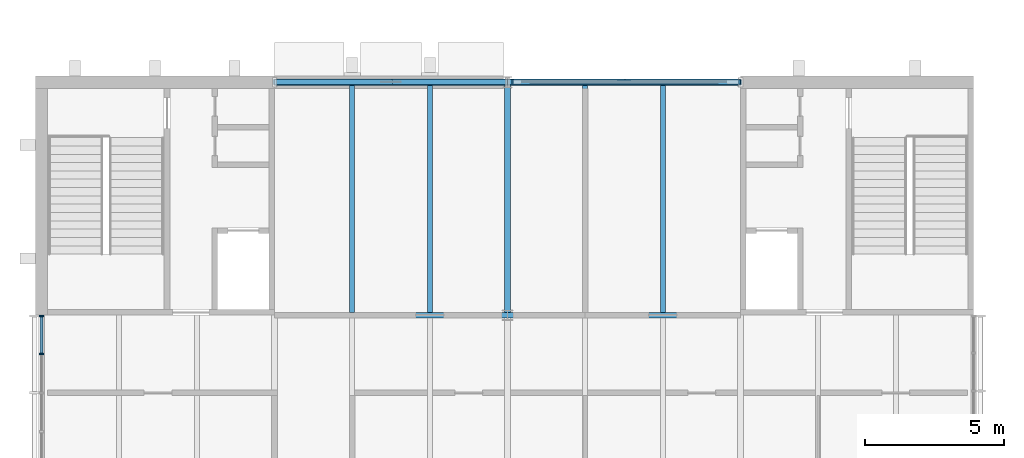
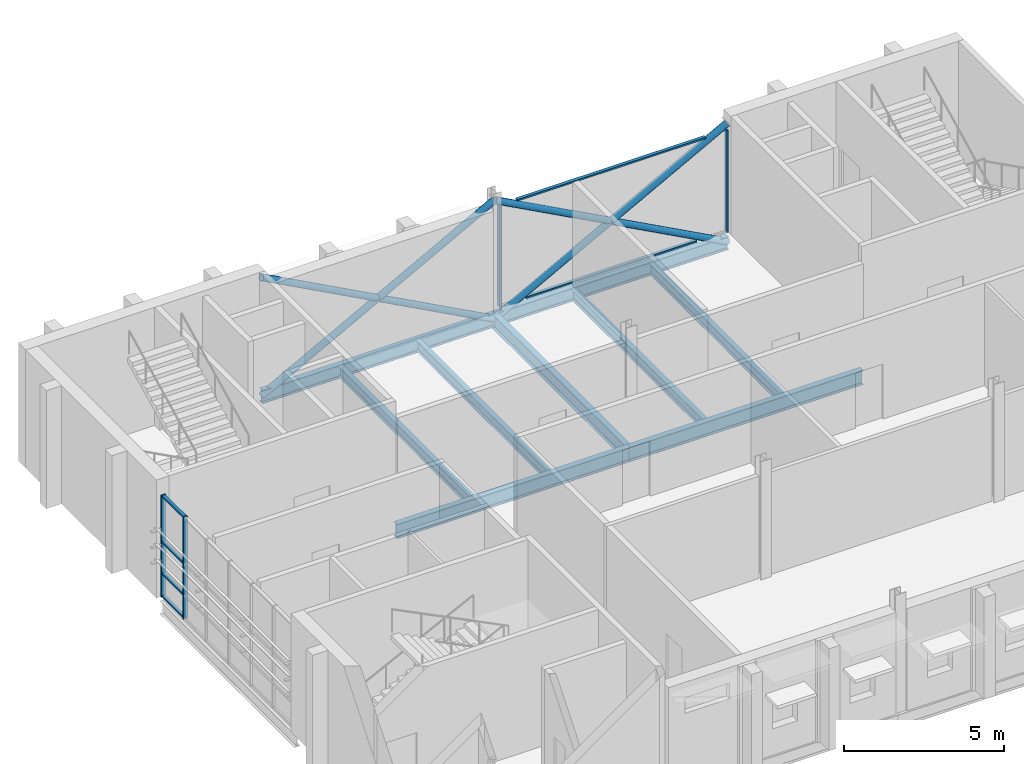
# One storey, part 5 of 22: 16 members, 9 beams, 2 elements without a shape of their own.
"""IFC4 building model written with IfcOpenShell, lengths in metres."""

from ifc_helpers import new_model, si_unit, direction, frame, origin, origin_2d, place, context, subcontext, project, spatial, rectangle, hollow_circle, i_section, extrude, material, layer, layer_set, material_profile, profile_set, type_object, element, aggregate, save


model = new_model("IFC4")

# Units and contexts
model_context = context("Model", 3, precision=1e-05, world=origin(), true_north=direction((0.0, 1.0)))
body_context = subcontext(model_context, "Body", "Model", "MODEL_VIEW")
ifc_project = project(units=[si_unit("LENGTHUNIT", "METRE"), si_unit("AREAUNIT", "SQUARE_METRE"), si_unit("VOLUMEUNIT", "CUBIC_METRE"), si_unit("PLANEANGLEUNIT", "RADIAN"), si_unit("MASSUNIT", "GRAM", prefix="KILO")], contexts=[model_context])

# Site, building, storey
site_placement = place(None, origin())
site = spatial("IfcSite", under=ifc_project, at=site_placement, CompositionType="ELEMENT")
building_placement = place(site_placement, origin())
building = spatial("IfcBuilding", under=site, at=building_placement, Name="Ardhachandra Cancer Care Centre", CompositionType="ELEMENT")
storey_placement = place(building_placement, frame((0.0, 0.0, 18.0)))
storey = spatial("IfcBuildingStorey", under=building, at=storey_placement, Name="L04", CompositionType="ELEMENT", Elevation=18.0)

# Beams
ifc_material_1 = material(Name="Steel E350 (IS 2062)", Category="steel")
ifc_material_profile_1 = material_profile(ifc_material_1, i_section(OverallWidth=0.179931640625, OverallDepth=0.39990234375, WebThickness=0.008544921875, FlangeThickness=0.013427734375, FilletRadius=0.02099609375, at=origin_2d()), Name="NPB 400x180x66.30")
ifc_profile_set_1 = profile_set([ifc_material_profile_1], Name="Steel E350 (IS 2062)")
beam_type_1 = type_object("IfcBeamType", Name="Beam NPB 400x180x66.30", PredefinedType="BEAM", material=ifc_profile_set_1)
for number, where, z_axis, x_axis, name in (
    (1, (22.0, 88.304931640625, -0.35009765625), (0.0, 1.0, 0.0), (-1.0, 0.0, 0.0), "Secondary K2-L2@2800"),
    (2, (24.800048828125, 88.304931640625, -0.35009765625), (0.0, 1.0, 0.0), (-1.0, 0.0, 0.0), "Secondary K2-L2@5600"),
    (3, (30.39990234375, 88.304931640625, -0.35009765625), (0.0, 1.0, 0.0), (-1.0, 0.0, 0.0), "Secondary K3-L3@2800"),
    (4, (33.199951171875, 88.304931640625, -0.35009765625), (0.0, 1.0, 0.0), (-1.0, 0.0, 0.0), "Secondary K3-L3@5600"),
):
    element("IfcBeam", number, at=place(storey_placement, frame(where, z_axis=z_axis, x_axis=x_axis)), inside=storey, type_object=beam_type_1, Name=name, PredefinedType="BEAM", context=body_context, shape_type="SweptSolid", body=[
        extrude(i_section(OverallWidth=0.179931640625, OverallDepth=0.39990234375, WebThickness=0.008544921875, FlangeThickness=0.013427734375, FilletRadius=0.02099609375, at=origin_2d()), origin(), (0.0, 0.0, 1.0), 8.195068359375),
    ])
ifc_material_2 = material(Name="Steel E350 (IS 2062)", Category="steel")
ifc_material_profile_2 = material_profile(ifc_material_2, i_section(OverallWidth=0.199951171875, OverallDepth=0.5, WebThickness=0.01025390625, FlangeThickness=0.01611328125, FilletRadius=0.02099609375, at=origin_2d()), Name="NPB 500x200x90.68")
ifc_profile_set_2 = profile_set([ifc_material_profile_2], Name="Steel E350 (IS 2062)")
beam_type_2 = type_object("IfcBeamType", Name="Beam NPB 500x200x90.68", PredefinedType="BEAM", material=ifc_profile_set_2)
beam_1_placement = place(storey_placement, frame((19.199951171875, 96.60009765625, -0.39990234375), z_axis=(1.0, 0.0, 0.0), x_axis=(0.0, 1.0, 0.0)))
element("IfcBeam", 5, at=beam_1_placement, inside=storey, type_object=beam_type_2, Name="Edge girder L2-L3", PredefinedType="BEAM", context=body_context, shape_type="SweptSolid", body=[
    extrude(i_section(OverallWidth=0.199951171875, OverallDepth=0.5, WebThickness=0.01025390625, FlangeThickness=0.01611328125, FilletRadius=0.02099609375, at=origin_2d()), origin(), (0.0, 0.0, 1.0), 8.400146484375),
])
beam_2_placement = place(storey_placement, frame((27.60009765625, 96.60009765625, -0.39990234375), z_axis=(1.0, 0.0, 0.0), x_axis=(0.0, 1.0, 0.0)))
element("IfcBeam", 6, at=beam_2_placement, inside=storey, type_object=beam_type_2, Name="Edge girder L3-L4", PredefinedType="BEAM", context=body_context, shape_type="SweptSolid", body=[
    extrude(i_section(OverallWidth=0.199951171875, OverallDepth=0.5, WebThickness=0.01025390625, FlangeThickness=0.01611328125, FilletRadius=0.02099609375, at=origin_2d()), origin(), (0.0, 0.0, 1.0), 8.39990234375),
])
ifc_material_3 = material(Name="Steel E350 (IS 2062)", Category="steel")
ifc_material_profile_3 = material_profile(ifc_material_3, i_section(OverallWidth=0.2099609375, OverallDepth=0.550048828125, WebThickness=0.010986328125, FlangeThickness=0.01708984375, FilletRadius=0.02392578125, at=origin_2d()), Name="NPB 550x210x105.52")
ifc_profile_set_3 = profile_set([ifc_material_profile_3], Name="Steel E350 (IS 2062)")
beam_type_3 = type_object("IfcBeamType", Name="Beam NPB 550x210x105.52", PredefinedType="BEAM", material=ifc_profile_set_3)
beam_3_placement = place(storey_placement, frame((19.199951171875, 88.199951171875, -0.425048828125), z_axis=(1.0, 0.0, 0.0), x_axis=(0.0, 1.0, 0.0)))
element("IfcBeam", 7, at=beam_3_placement, inside=storey, type_object=beam_type_3, Name="Girder K2-K3", PredefinedType="BEAM", context=body_context, shape_type="SweptSolid", body=[
    extrude(i_section(OverallWidth=0.2099609375, OverallDepth=0.550048828125, WebThickness=0.010986328125, FlangeThickness=0.01708984375, FilletRadius=0.02392578125, at=origin_2d()), origin(), (0.0, 0.0, 1.0), 8.400146484375),
])
beam_4_placement = place(storey_placement, frame((27.60009765625, 88.199951171875, -0.425048828125), z_axis=(1.0, 0.0, 0.0), x_axis=(0.0, 1.0, 0.0)))
element("IfcBeam", 8, at=beam_4_placement, inside=storey, type_object=beam_type_3, Name="Girder K3-K4", PredefinedType="BEAM", context=body_context, shape_type="SweptSolid", body=[
    extrude(i_section(OverallWidth=0.2099609375, OverallDepth=0.550048828125, WebThickness=0.010986328125, FlangeThickness=0.01708984375, FilletRadius=0.02392578125, at=origin_2d()), origin(), (0.0, 0.0, 1.0), 8.39990234375),
])
beam_5_placement = place(storey_placement, frame((27.60009765625, 88.199951171875, -0.425048828125), z_axis=(0.0, 1.0, 0.0), x_axis=(-1.0, 0.0, 0.0)))
element("IfcBeam", 9, at=beam_5_placement, inside=storey, type_object=beam_type_3, Name="Girder K3-L3", PredefinedType="BEAM", context=body_context, shape_type="SweptSolid", body=[
    extrude(i_section(OverallWidth=0.2099609375, OverallDepth=0.550048828125, WebThickness=0.010986328125, FlangeThickness=0.01708984375, FilletRadius=0.02392578125, at=origin_2d()), origin(), (0.0, 0.0, 1.0), 8.400146484375),
])

# Members
ifc_material_4 = material(Name="Steel E350 (IS 2062)", Category="steel")
ifc_material_profile_4 = material_profile(ifc_material_4, hollow_circle(Radius=0.122314453125, WallThickness=0.010009765625, at=origin_2d()), Name="CHS 244.5x10.0")
ifc_profile_set_4 = profile_set([ifc_material_profile_4], Name="Steel E350 (IS 2062)")
member_type_1 = type_object("IfcMemberType", Name="Brace CHS 244.5x10.0", PredefinedType="BRACE", material=ifc_profile_set_4)
member_1_placement = place(storey_placement, frame((19.199951171875, 96.60009765625, -0.39990234375), z_axis=(0.880704415994, 0.0, 0.473666266108), x_axis=(0.0, 1.0, 0.0)))
element("IfcMember", 10, at=member_1_placement, inside=storey, type_object=member_type_1, Name="Brace V6-X966-192 L04 A", PredefinedType="BRACE", context=body_context, shape_type="SweptSolid", body=[
    extrude(hollow_circle(Radius=0.122314453125, WallThickness=0.010009765625, at=origin_2d()), origin(), (0.0, 0.0, 1.0), 9.5380859375),
])
for number, where, z_axis, x_axis, name in (
    (11, (27.60009765625, 96.60009765625, -0.39990234375), (-0.880720836058, 0.0, 0.473635734434), (0.0, -1.0, 0.0), "Brace V6-X966-192 L04 B1"),
    (12, (23.39990234375, 96.60009765625, 1.85888671875), (-0.88068799453, 0.0, 0.473696797848), (0.0, -1.0, 0.0), "Brace V6-X966-192 L04 B2"),
):
    element("IfcMember", number, at=place(storey_placement, frame(where, z_axis=z_axis, x_axis=x_axis)), inside=storey, type_object=member_type_1, Name=name, PredefinedType="BRACE", context=body_context, shape_type="SweptSolid", body=[
        extrude(hollow_circle(Radius=0.122314453125, WallThickness=0.010009765625, at=origin_2d()), origin(), (0.0, 0.0, 1.0), 4.76904296875),
    ])
member_2_placement = place(storey_placement, frame((27.60009765625, 96.60009765625, -0.39990234375), z_axis=(0.880698672939, 0.0, 0.473676944217), x_axis=(0.0, 1.0, 0.0)))
element("IfcMember", 13, at=member_2_placement, inside=storey, type_object=member_type_1, Name="Brace V6-X966-276 L04 A", PredefinedType="BRACE", context=body_context, shape_type="SweptSolid", body=[
    extrude(hollow_circle(Radius=0.122314453125, WallThickness=0.010009765625, at=origin_2d()), origin(), (0.0, 0.0, 1.0), 9.537841796875),
])
member_3_placement = place(storey_placement, frame((36.0, 96.60009765625, -0.39990234375), z_axis=(-0.88070935116, 0.0, 0.473657089864), x_axis=(0.0, -1.0, 0.0)))
element("IfcMember", 14, at=member_3_placement, inside=storey, type_object=member_type_1, Name="Brace V6-X966-276 L04 B1", PredefinedType="BRACE", context=body_context, shape_type="SweptSolid", body=[
    extrude(hollow_circle(Radius=0.122314453125, WallThickness=0.010009765625, at=origin_2d()), origin(), (0.0, 0.0, 1.0), 4.768798828125),
])
member_4_placement = place(storey_placement, frame((31.800048828125, 96.60009765625, 1.85888671875), z_axis=(-0.88068799453, 0.0, 0.473696797848), x_axis=(0.0, -1.0, 0.0)))
element("IfcMember", 15, at=member_4_placement, inside=storey, type_object=member_type_1, Name="Brace V6-X966-276 L04 B2", PredefinedType="BRACE", context=body_context, shape_type="SweptSolid", body=[
    extrude(hollow_circle(Radius=0.122314453125, WallThickness=0.010009765625, at=origin_2d()), origin(), (0.0, 0.0, 1.0), 4.76904296875),
])

# Curtain wall, members
ifc_material_5 = material(Name="Aluminium extrusion", Category="aluminium")
ifc_layer = layer(ifc_material_5, 0.14990234375)
ifc_layer_set = layer_set([ifc_layer], Name="Aluminium extrusion")
curtain_wall_type = type_object("IfcCurtainWallType", Name="Curtain wall run", PredefinedType="NOTDEFINED", material=ifc_layer_set)
curtain_wall_1_placement = place(storey_placement, origin())
curtain_wall_1 = element("IfcCurtainWall", 16, at=curtain_wall_1_placement, inside=storey, type_object=curtain_wall_type, Name="Curtain wall L04 n/0027600_0096600", PredefinedType="NOTDEFINED")
ifc_material_6 = material(Name="Aluminium extrusion", Category="aluminium")
ifc_material_profile_5 = material_profile(ifc_material_6, rectangle(XDim=0.159912109375, YDim=0.06005859375, at=origin_2d()), Name="Curtain wall mullion 60 x 160")
ifc_profile_set_5 = profile_set([ifc_material_profile_5], Name="Aluminium extrusion")
member_type_2 = type_object("IfcMemberType", Name="Curtain wall mullion 60 x 160", PredefinedType="MULLION", material=ifc_profile_set_5)
member_5_placement = place(storey_placement, frame((27.780029296875, 96.60009765625, 0.0), z_axis=(0.0, 0.0, 1.0), x_axis=(0.0, 1.0, 0.0)))
member_5 = element("IfcMember", 17, at=member_5_placement, type_object=member_type_2, Name="CW mullion 1", PredefinedType="MULLION", context=body_context, shape_type="SweptSolid", body=[
    extrude(rectangle(XDim=0.159912109375, YDim=0.06005859375, at=origin_2d()), origin(), (0.0, 0.0, 1.0), 3.864990234375),
])
member_6_placement = place(storey_placement, frame((35.969970703125, 96.60009765625, 0.0), z_axis=(0.0, 0.0, 1.0), x_axis=(0.0, 1.0, 0.0)))
member_6 = element("IfcMember", 18, at=member_6_placement, type_object=member_type_2, Name="CW mullion 2", PredefinedType="MULLION", context=body_context, shape_type="SweptSolid", body=[
    extrude(rectangle(XDim=0.159912109375, YDim=0.06005859375, at=origin_2d()), origin(), (0.0, 0.0, 1.0), 3.885986328125),
])

curtain_wall_2_placement = place(storey_placement, origin())
curtain_wall_2 = element("IfcCurtainWall", 19, at=curtain_wall_2_placement, inside=storey, type_object=curtain_wall_type, Name="Curtain wall L04 w/0010800_0079800", PredefinedType="NOTDEFINED")
member_7_placement = place(storey_placement, frame((10.800048828125, 86.800048828125, 0.0), z_axis=(0.0, 0.0, 1.0), x_axis=(-1.0, 0.0, 0.0)))
member_7 = element("IfcMember", 20, at=member_7_placement, type_object=member_type_2, Name="CW mullion 6", PredefinedType="MULLION", context=body_context, shape_type="SweptSolid", body=[
    extrude(rectangle(XDim=0.159912109375, YDim=0.06005859375, at=origin_2d()), origin(), (0.0, 0.0, 1.0), 3.885986328125),
])
member_8_placement = place(storey_placement, frame((10.800048828125, 88.169921875, 0.0), z_axis=(0.0, 0.0, 1.0), x_axis=(-1.0, 0.0, 0.0)))
member_8 = element("IfcMember", 21, at=member_8_placement, type_object=member_type_2, Name="CW mullion 7", PredefinedType="MULLION", context=body_context, shape_type="SweptSolid", body=[
    extrude(rectangle(XDim=0.159912109375, YDim=0.06005859375, at=origin_2d()), origin(), (0.0, 0.0, 1.0), 3.885986328125),
])

# Member
ifc_material_7 = material(Name="Aluminium extrusion", Category="aluminium")
ifc_material_profile_6 = material_profile(ifc_material_7, rectangle(XDim=0.1201171875, YDim=0.06005859375, at=origin_2d()), Name="Curtain wall transom 60 x 120")
ifc_profile_set_6 = profile_set([ifc_material_profile_6], Name="Aluminium extrusion")
member_type_3 = type_object("IfcMemberType", Name="Curtain wall transom 60 x 120", PredefinedType="USERDEFINED", material=ifc_profile_set_6)
member_9_placement = place(storey_placement, frame((28.7158203125, 96.60009765625, 0.030029296875), z_axis=(1.0, 0.0, 0.0), x_axis=(0.0, 1.0, 0.0)))
member_9 = element("IfcMember", 22, at=member_9_placement, type_object=member_type_3, Name="CW transom 1.1", ObjectType="TRANSOM", PredefinedType="USERDEFINED", context=body_context, shape_type="SweptSolid", body=[
    extrude(rectangle(XDim=0.1201171875, YDim=0.06005859375, at=origin_2d()), origin(), (0.0, 0.0, 1.0), 6.168212890625),
])

member_10_placement = place(storey_placement, frame((28.403564453125, 96.60009765625, 3.85595703125), z_axis=(1.0, 0.0, 0.0), x_axis=(0.0, 1.0, 0.0)))
member_10 = element("IfcMember", 23, at=member_10_placement, type_object=member_type_3, Name="CW transom 1.2", ObjectType="TRANSOM", PredefinedType="USERDEFINED", context=body_context, shape_type="SweptSolid", body=[
    extrude(rectangle(XDim=0.1201171875, YDim=0.06005859375, at=origin_2d()), origin(), (0.0, 0.0, 1.0), 6.79296875),
])

aggregate(curtain_wall_1, [member_5, member_6, member_9, member_10])

member_11_placement = place(storey_placement, frame((10.800048828125, 86.830078125, 0.030029296875), z_axis=(0.0, 1.0, 0.0), x_axis=(-1.0, 0.0, 0.0)))
member_11 = element("IfcMember", 24, at=member_11_placement, type_object=member_type_3, Name="CW transom 6.1", ObjectType="TRANSOM", PredefinedType="USERDEFINED", context=body_context, shape_type="SweptSolid", body=[
    extrude(rectangle(XDim=0.1201171875, YDim=0.06005859375, at=origin_2d()), origin(), (0.0, 0.0, 1.0), 1.309814453125),
])

member_12_placement = place(storey_placement, frame((10.800048828125, 86.830078125, 0.89990234375), z_axis=(0.0, 1.0, 0.0), x_axis=(-1.0, 0.0, 0.0)))
member_12 = element("IfcMember", 25, at=member_12_placement, type_object=member_type_3, Name="CW transom 6.2", ObjectType="TRANSOM", PredefinedType="USERDEFINED", context=body_context, shape_type="SweptSolid", body=[
    extrude(rectangle(XDim=0.1201171875, YDim=0.06005859375, at=origin_2d()), origin(), (0.0, 0.0, 1.0), 1.309814453125),
])

member_13_placement = place(storey_placement, frame((10.800048828125, 86.830078125, 2.10009765625), z_axis=(0.0, 1.0, 0.0), x_axis=(-1.0, 0.0, 0.0)))
member_13 = element("IfcMember", 26, at=member_13_placement, type_object=member_type_3, Name="CW transom 6.3", ObjectType="TRANSOM", PredefinedType="USERDEFINED", context=body_context, shape_type="SweptSolid", body=[
    extrude(rectangle(XDim=0.1201171875, YDim=0.06005859375, at=origin_2d()), origin(), (0.0, 0.0, 1.0), 1.309814453125),
])

member_14_placement = place(storey_placement, frame((10.800048828125, 86.830078125, 3.85595703125), z_axis=(0.0, 1.0, 0.0), x_axis=(-1.0, 0.0, 0.0)))
member_14 = element("IfcMember", 27, at=member_14_placement, type_object=member_type_3, Name="CW transom 6.4", ObjectType="TRANSOM", PredefinedType="USERDEFINED", context=body_context, shape_type="SweptSolid", body=[
    extrude(rectangle(XDim=0.1201171875, YDim=0.06005859375, at=origin_2d()), origin(), (0.0, 0.0, 1.0), 1.309814453125),
])

aggregate(curtain_wall_2, [member_7, member_8, member_11, member_12, member_13, member_14])

save(model, "model.ifc")
